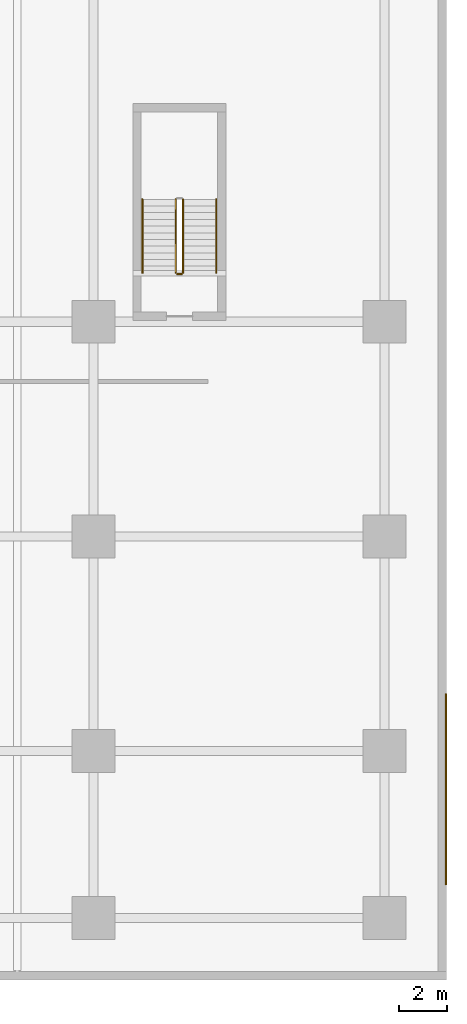
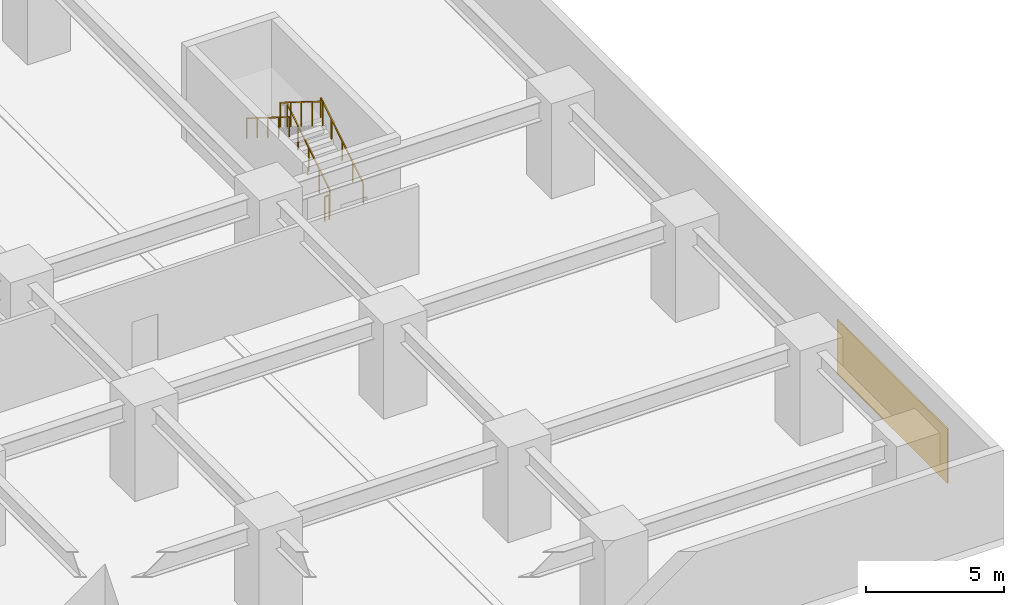
# One storey, part 20 of 22: 5 railings, 1 covering.
"""IFC4 building model written with IfcOpenShell, lengths in metres."""

from ifc_helpers import new_model, si_unit, direction, frame, origin, origin_2d, place, context, subcontext, project, spatial, polyline, rectangle, outline, extrude, material, layer, layer_set, type_object, element, save


model = new_model("IFC4")

# Units and contexts
model_context = context("Model", 3, precision=1e-05, world=origin(), true_north=direction((0.0, 1.0)))
body_context = subcontext(model_context, "Body", "Model", "MODEL_VIEW")
ifc_project = project(units=[si_unit("LENGTHUNIT", "METRE"), si_unit("AREAUNIT", "SQUARE_METRE"), si_unit("VOLUMEUNIT", "CUBIC_METRE"), si_unit("PLANEANGLEUNIT", "RADIAN"), si_unit("MASSUNIT", "GRAM", prefix="KILO")], contexts=[model_context])

# Site, building, storey
site_placement = place(None, origin())
site = spatial("IfcSite", under=ifc_project, at=site_placement, CompositionType="ELEMENT")
building_placement = place(site_placement, origin())
building = spatial("IfcBuilding", under=site, at=building_placement, Name="Kiyonajd Concourse Tower", CompositionType="ELEMENT")
storey_placement = place(building_placement, frame((0.0, 0.0, 8.699951171875)))
storey = spatial("IfcBuildingStorey", under=building, at=storey_placement, Name="L03", CompositionType="ELEMENT", Elevation=8.699951171875)

# Covering
ifc_material_1 = material(Name="Riyadh Jubaila Limestone", Category="masonry")
ifc_layer = layer(ifc_material_1, 0.06005859375)
ifc_layer_set = layer_set([ifc_layer], Name="Riyadh Jubaila Limestone")
covering_type = type_object("IfcCoveringType", Name="CV-CLD-STONE", PredefinedType="CLADDING", material=ifc_layer_set)
covering_placement = place(storey_placement, origin())
element("IfcCovering", 1, at=covering_placement, inside=storey, type_object=covering_type, Name="L03 Riyadh Jubaila Limestone Pier Cladding 2", PredefinedType="CLADDING", context=body_context, shape_type="SweptSolid", body=[
    extrude(outline(polyline([(95.93994140625, 4.0), (96.0, 4.0), (96.0, 12.0), (95.93994140625, 12.0), (95.93994140625, 4.0)])), origin(), (0.0, 0.0, 1.0), 2.400146484375),
])

# Railings
ifc_material_2 = material(Name="Steel ASTM A500 Grade C", Category="steel")
railing_type_1 = type_object("IfcRailingType", Name="RL-GRD-STR", PredefinedType="GUARDRAIL", material=ifc_material_2)
railing_1_placement = place(storey_placement, frame((84.949951171875, 29.64990234375, 0.175048828125)))
element("IfcRailing", 2, at=railing_1_placement, inside=storey, type_object=railing_type_1, Name="L03 ST5 stair guard 1", PredefinedType="GUARDRAIL", context=body_context, shape_type="SweptSolid", body=[
    extrude(rectangle(XDim=0.048095703125, YDim=0.048095703125, at=origin_2d()), frame((0.0, 0.0, 1.076171875), z_axis=(0.0, 0.847998304005, 0.529998940003), x_axis=(-1.0, 0.0, 0.0)), (0.0, 0.0, 1.0), 3.632080078125),
    extrude(rectangle(XDim=0.0419921875, YDim=0.0419921875, at=origin_2d()), origin(), (0.0, 0.0, 1.0), 1.052001953125),
    extrude(rectangle(XDim=0.0419921875, YDim=0.0419921875, at=origin_2d()), frame((0.0, 0.77001953125, 0.481201171875)), (0.0, 0.0, 1.0), 1.052001953125),
    extrude(rectangle(XDim=0.0419921875, YDim=0.0419921875, at=origin_2d()), frame((0.0, 1.5400390625, 0.96240234375)), (0.0, 0.0, 1.0), 1.052001953125),
    extrude(rectangle(XDim=0.0419921875, YDim=0.0419921875, at=origin_2d()), frame((0.0, 2.31005859375, 1.44384765625)), (0.0, 0.0, 1.0), 1.052001953125),
    extrude(rectangle(XDim=0.0419921875, YDim=0.0419921875, at=origin_2d()), frame((0.0, 3.080078125, 1.925048828125)), (0.0, 0.0, 1.0), 1.052001953125),
])
railing_2_placement = place(storey_placement, frame((84.64990234375, 32.72998046875, 2.275146484375)))
element("IfcRailing", 3, at=railing_2_placement, inside=storey, type_object=railing_type_1, Name="L03 ST5 stair guard 3", PredefinedType="GUARDRAIL", context=body_context, shape_type="SweptSolid", body=[
    extrude(rectangle(XDim=0.048095703125, YDim=0.048095703125, at=origin_2d()), frame((0.0, 0.0, 1.076171875), z_axis=(0.0, -0.848028513186, 0.529950602248), x_axis=(1.0, 0.0, 0.0)), (0.0, 0.0, 1.0), 3.632080078125),
    extrude(rectangle(XDim=0.0419921875, YDim=0.0419921875, at=origin_2d()), origin(), (0.0, 0.0, 1.0), 1.052001953125),
    extrude(rectangle(XDim=0.0419921875, YDim=0.0419921875, at=origin_2d()), frame((0.0, -0.77001953125, 0.481201171875)), (0.0, 0.0, 1.0), 1.052001953125),
    extrude(rectangle(XDim=0.0419921875, YDim=0.0419921875, at=origin_2d()), frame((0.0, -1.5400390625, 0.96240234375)), (0.0, 0.0, 1.0), 1.052001953125),
    extrude(rectangle(XDim=0.0419921875, YDim=0.0419921875, at=origin_2d()), frame((0.0, -2.31005859375, 1.443603515625)), (0.0, 0.0, 1.0), 1.052001953125),
    extrude(rectangle(XDim=0.0419921875, YDim=0.0419921875, at=origin_2d()), frame((0.0, -3.080078125, 1.9248046875)), (0.0, 0.0, 1.0), 1.052001953125),
])
railing_3_placement = place(storey_placement, frame((84.89990234375, 29.60009765625, 0.0)))
element("IfcRailing", 4, at=railing_3_placement, inside=storey, type_object=railing_type_1, Name="L03 ST5 stair guard 4", PredefinedType="GUARDRAIL", context=body_context, shape_type="SweptSolid", body=[
    extrude(rectangle(XDim=0.048095703125, YDim=0.048095703125, at=origin_2d()), frame((0.0, 0.0, 1.076171875), z_axis=(-1.0, 0.0, 0.0), x_axis=(0.0, -1.0, 0.0)), (0.0, 0.0, 1.0), 0.199951171875),
    extrude(rectangle(XDim=0.0419921875, YDim=0.0419921875, at=origin_2d()), origin(), (0.0, 0.0, 1.0), 1.052001953125),
    extrude(rectangle(XDim=0.0419921875, YDim=0.0419921875, at=origin_2d()), frame((-0.199951171875, 0.0, 0.0)), (0.0, 0.0, 1.0), 1.052001953125),
])
ifc_material_3 = material(Name="Brushed Stainless Steel Cab Assembly", Category="steel")
railing_type_2 = type_object("IfcRailingType", Name="RL-HND-900", PredefinedType="HANDRAIL", material=ifc_material_3)
railing_4_placement = place(storey_placement, frame((86.35009765625, 29.64990234375, 0.175048828125)))
element("IfcRailing", 5, at=railing_4_placement, inside=storey, type_object=railing_type_2, Name="L03 ST5 stair handrail 1", PredefinedType="HANDRAIL", context=body_context, shape_type="SweptSolid", body=[
    extrude(rectangle(XDim=0.048095703125, YDim=0.048095703125, at=origin_2d()), frame((0.0, 0.0, 0.8759765625), z_axis=(0.0, 0.847998304005, 0.529998940003), x_axis=(-1.0, 0.0, 0.0)), (0.0, 0.0, 1.0), 3.632080078125),
    extrude(rectangle(XDim=0.0419921875, YDim=0.0419921875, at=origin_2d()), origin(), (0.0, 0.0, 1.0), 0.851806640625),
    extrude(rectangle(XDim=0.0419921875, YDim=0.0419921875, at=origin_2d()), frame((0.0, 0.77001953125, 0.481201171875)), (0.0, 0.0, 1.0), 0.851806640625),
    extrude(rectangle(XDim=0.0419921875, YDim=0.0419921875, at=origin_2d()), frame((0.0, 1.5400390625, 0.96240234375)), (0.0, 0.0, 1.0), 0.851806640625),
    extrude(rectangle(XDim=0.0419921875, YDim=0.0419921875, at=origin_2d()), frame((0.0, 2.31005859375, 1.44384765625)), (0.0, 0.0, 1.0), 0.851806640625),
    extrude(rectangle(XDim=0.0419921875, YDim=0.0419921875, at=origin_2d()), frame((0.0, 3.080078125, 1.925048828125)), (0.0, 0.0, 1.0), 0.851806640625),
])
railing_5_placement = place(storey_placement, frame((83.25, 32.72998046875, 2.275146484375)))
element("IfcRailing", 6, at=railing_5_placement, inside=storey, type_object=railing_type_2, Name="L03 ST5 stair handrail 2", PredefinedType="HANDRAIL", context=body_context, shape_type="SweptSolid", body=[
    extrude(rectangle(XDim=0.048095703125, YDim=0.048095703125, at=origin_2d()), frame((0.0, 0.0, 0.8759765625), z_axis=(0.0, -0.848028513186, 0.529950602248), x_axis=(1.0, 0.0, 0.0)), (0.0, 0.0, 1.0), 3.632080078125),
    extrude(rectangle(XDim=0.0419921875, YDim=0.0419921875, at=origin_2d()), origin(), (0.0, 0.0, 1.0), 0.851806640625),
    extrude(rectangle(XDim=0.0419921875, YDim=0.0419921875, at=origin_2d()), frame((0.0, -0.77001953125, 0.481201171875)), (0.0, 0.0, 1.0), 0.851806640625),
    extrude(rectangle(XDim=0.0419921875, YDim=0.0419921875, at=origin_2d()), frame((0.0, -1.5400390625, 0.96240234375)), (0.0, 0.0, 1.0), 0.851806640625),
    extrude(rectangle(XDim=0.0419921875, YDim=0.0419921875, at=origin_2d()), frame((0.0, -2.31005859375, 1.443603515625)), (0.0, 0.0, 1.0), 0.851806640625),
    extrude(rectangle(XDim=0.0419921875, YDim=0.0419921875, at=origin_2d()), frame((0.0, -3.080078125, 1.9248046875)), (0.0, 0.0, 1.0), 0.851806640625),
])

save(model, "model.ifc")
